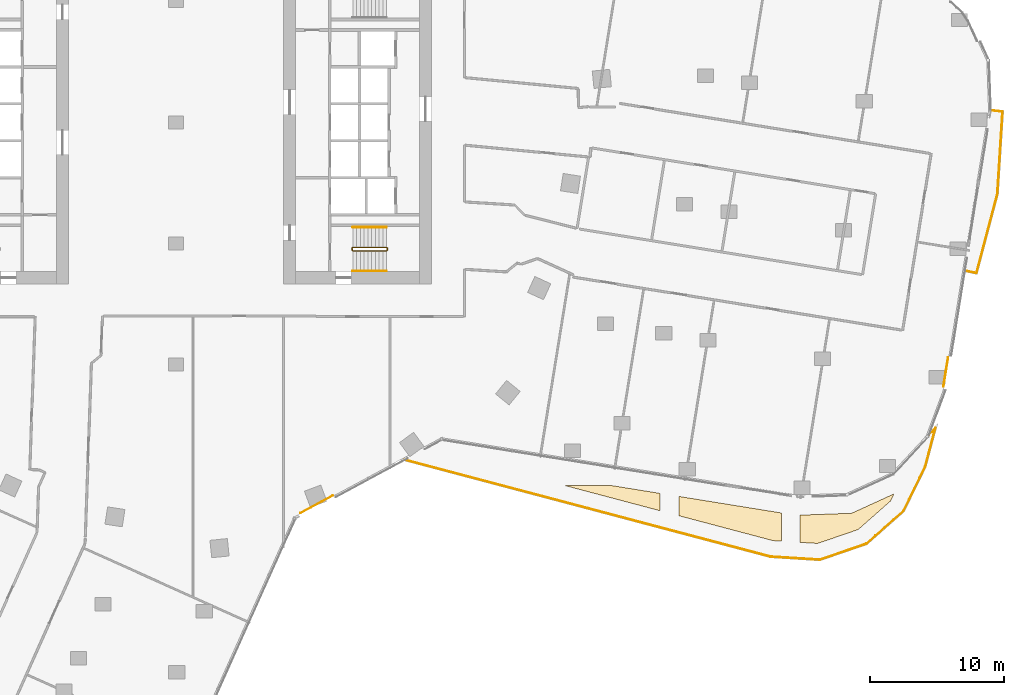
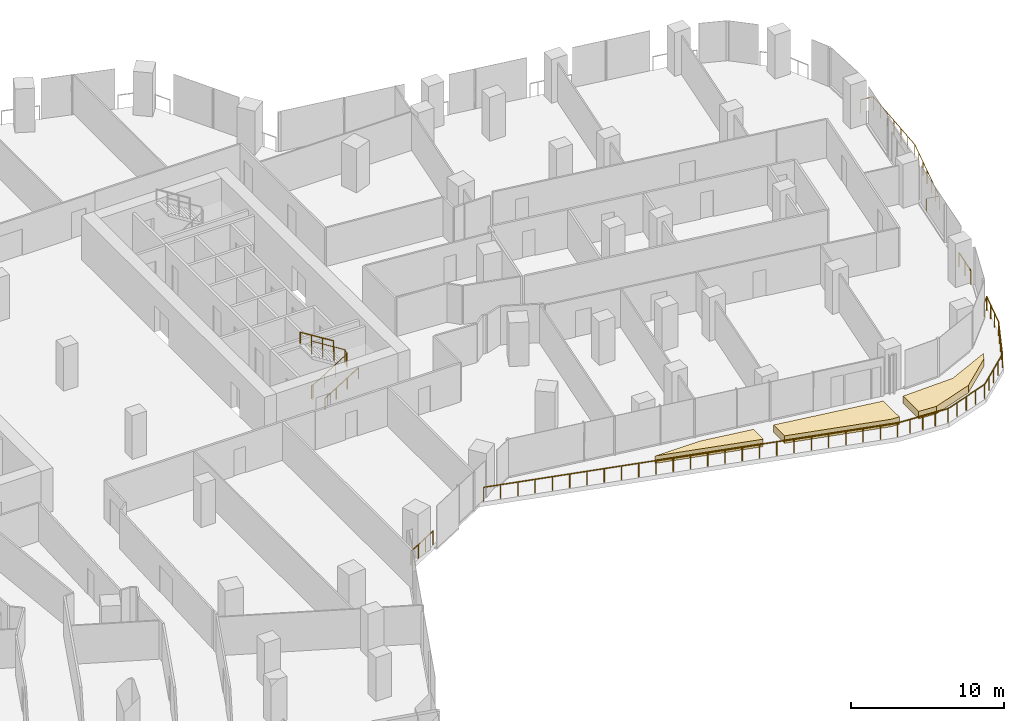
# One storey, part 30 of 32: 8 railings, 3 coverings.
"""IFC4 building model written with IfcOpenShell, lengths in metres."""

import ifcopenshell
import ifcopenshell.guid

model = None  # the IFC model being written
_history = None  # IfcOwnerHistory: only IFC2X3 demands one
_inside = {}  # id of a spatial element -> (the spatial element, [elements in it])
_under = {}  # id of a project, library or spatial element -> (it, [spatial elements below it])
_declared = {}  # id of a project -> (the project, [libraries it declares])
_typed = {}  # id of a type object -> (the type object, [elements of that type])
_made_of = {}  # id of a material, layer set ... -> (it, [elements and type objects made of it])


def new_model(schema):
    """Start an empty IFC model of exactly this schema.

    Asked for "IFC4X3", IfcOpenShell would pick the latest addendum, in which some entities
    have other attributes; the version numbers below select the first issue.
    IFC2X3 requires an IfcOwnerHistory on every rooted entity: one is made here for all.
    """
    global model, _history
    if schema == "IFC4X3":
        model = ifcopenshell.file(schema_version=(4, 3, 0, 0))
    else:
        model = ifcopenshell.file(schema=schema)
    _inside.clear()
    _under.clear()
    _declared.clear()
    _typed.clear()
    _made_of.clear()
    _history = None
    if model.schema == "IFC2X3":
        org = make("IfcOrganization", Name="unknown")
        user = make(
            "IfcPersonAndOrganization",
            ThePerson=make("IfcPerson", FamilyName="unknown"),
            TheOrganization=org,
        )
        app = make(
            "IfcApplication",
            ApplicationDeveloper=org,
            Version="unknown",
            ApplicationFullName="unknown",
            ApplicationIdentifier="unknown",
        )
        _history = make(
            "IfcOwnerHistory",
            OwningUser=user,
            OwningApplication=app,
            ChangeAction="ADDED",
            CreationDate=0,
        )
    return model


def make(cls, **values):
    """One entity of the class cls with the attributes given. An attribute that is None is left unset."""
    return model.create_entity(
        cls, **{name: value for name, value in values.items() if value is not None}
    )


def rooted(cls, **values):
    """An entity with a GlobalId (a new one), such as an element, a storey or a relation."""
    return make(cls, GlobalId=ifcopenshell.guid.new(), OwnerHistory=_history, **values)


def si_unit(unit_type, name, prefix=None):
    """IfcSIUnit, for example si_unit("LENGTHUNIT", "METRE", prefix="MILLI")."""
    return make("IfcSIUnit", UnitType=unit_type, Prefix=prefix, Name=name)


def assignment(units):
    """IfcUnitAssignment: the units of a project."""
    return None if units is None else make("IfcUnitAssignment", Units=units)


def point(xyz):
    """IfcCartesianPoint."""
    return None if xyz is None else make("IfcCartesianPoint", Coordinates=xyz)


def direction(xyz):
    """IfcDirection."""
    return None if xyz is None else make("IfcDirection", DirectionRatios=xyz)


def frame(location, z_axis=None, x_axis=None):
    """IfcAxis2Placement3D, a coordinate frame: its origin and axes. An axis left out is left unset."""
    return make(
        "IfcAxis2Placement3D",
        Location=point(location),
        Axis=direction(z_axis),
        RefDirection=direction(x_axis),
    )


def frame_2d(location, x_axis=None):
    """IfcAxis2Placement2D, a coordinate frame in the plane: its origin and x axis."""
    return make(
        "IfcAxis2Placement2D", Location=point(location), RefDirection=direction(x_axis)
    )


def origin():
    """The frame at (0, 0, 0) with its axes left unset."""
    return frame((0.0, 0.0, 0.0))


def origin_2d():
    """The frame at (0, 0) in the plane with its x axis left unset."""
    return frame_2d((0.0, 0.0))


def place(relative_to, where):
    """IfcLocalPlacement: puts the frame where relative to a parent placement (None: the world)."""
    return make(
        "IfcLocalPlacement", PlacementRelTo=relative_to, RelativePlacement=where
    )


def context(
    kind, dimensions, precision=None, world=None, true_north=None, identifier=None
):
    """IfcGeometricRepresentationContext, for example the 3D "Model" context."""
    return make(
        "IfcGeometricRepresentationContext",
        ContextIdentifier=identifier,
        ContextType=kind,
        CoordinateSpaceDimension=dimensions,
        Precision=precision,
        WorldCoordinateSystem=world,
        TrueNorth=true_north,
    )


def subcontext(parent, identifier, kind, view, scale=None):
    """IfcGeometricRepresentationSubContext, for example "Body" below "Model"."""
    return make(
        "IfcGeometricRepresentationSubContext",
        ContextIdentifier=identifier,
        ContextType=kind,
        ParentContext=parent,
        TargetScale=scale,
        TargetView=view,
    )


def project(units=None, contexts=None):
    """IfcProject with its units and contexts."""
    return rooted(
        "IfcProject",
        Name="project",
        RepresentationContexts=contexts,
        UnitsInContext=assignment(units),
    )


def spatial(cls, under=None, at=None, **own):
    """A site, building, storey or space (cls), placed at a placement, below another one or the project."""
    s = rooted(cls, ObjectPlacement=at, **own)
    if under is not None:
        _under.setdefault(under.id(), (under, []))[1].append(s)
    return s


def polyline(points):
    """IfcPolyline through the points."""
    return make("IfcPolyline", Points=[point(p) for p in points])


def profile(cls, at=None, kind="AREA", **sizes):
    """A parametric profile (cls). Its sizes go by their IFC names, for example OverallWidth=200.0."""
    return make(cls, ProfileType=kind, Position=at, **sizes)


def circle(**sizes):
    """IfcCircleProfileDef."""
    return profile("IfcCircleProfileDef", **sizes)


def outline(outer, holes=None, kind="AREA"):
    """IfcArbitraryClosedProfileDef: a profile drawn as a closed curve; with holes, ...WithVoids."""
    if holes is None:
        return make("IfcArbitraryClosedProfileDef", ProfileType=kind, OuterCurve=outer)
    return make(
        "IfcArbitraryProfileDefWithVoids",
        ProfileType=kind,
        OuterCurve=outer,
        InnerCurves=holes,
    )


def extrude(swept, where, along, depth):
    """IfcExtrudedAreaSolid: the profile swept, set in the frame where, extruded along a direction by depth."""
    return make(
        "IfcExtrudedAreaSolid",
        SweptArea=swept,
        Position=where,
        ExtrudedDirection=direction(along),
        Depth=depth,
    )


def shape(context_of_items, identifier, shape_type, items):
    """IfcShapeRepresentation: the items that make up one representation, for example the "Body"."""
    return make(
        "IfcShapeRepresentation",
        ContextOfItems=context_of_items,
        RepresentationIdentifier=identifier,
        RepresentationType=shape_type,
        Items=items,
    )


def material(Name=None, Category=None):
    """IfcMaterial."""
    return make("IfcMaterial", Name=Name, Category=Category)


def layer(
    of_material, thickness, ventilated=None, Name=None, Category=None, Priority=None
):
    """IfcMaterialLayer: one layer of a wall or slab, of a material (None: an air gap)."""
    return make(
        "IfcMaterialLayer",
        Material=of_material,
        LayerThickness=thickness,
        IsVentilated=ventilated,
        Name=Name,
        Category=Category,
        Priority=Priority,
    )


def layer_set(layers, Name=None):
    """IfcMaterialLayerSet."""
    return make("IfcMaterialLayerSet", MaterialLayers=layers, LayerSetName=Name)


def made_of(thing, what):
    """Note that an element or type object is made of a material, layer set ...; save() writes the relation."""
    if what is not None:
        _made_of.setdefault(what.id(), (what, []))[1].append(thing)
    return thing


def type_object(cls, material=None, **own):
    """A type object (cls), such as IfcWallType, which elements share."""
    return made_of(rooted(cls, **own), material)


def element(
    cls,
    number,
    at=None,
    inside=None,
    cuts=None,
    type_object=None,
    material=None,
    context=None,
    identifier="Body",
    shape_type=None,
    held_by="IfcProductDefinitionShape",
    body=None,
    shapes=None,
    **own,
):
    """One element of the class cls, such as IfcWall. Its Tag is "e" and its number.

    at: its placement. inside: the storey or other place that contains it. cuts: it is an
    opening in that element (IfcRelVoidsElement). A single representation is given by context,
    identifier, shape_type and body (its items); several are given by shapes. held_by: the class
    of the entity that holds the representations. save() writes the other relations.
    """
    e = rooted(cls, Tag="e%d" % number, ObjectPlacement=at, **own)
    if body is not None:
        shapes = [shape(context, identifier, shape_type, body)]
    if shapes is not None:
        e.Representation = make(held_by, Representations=shapes)
    if inside is not None:
        _inside.setdefault(inside.id(), (inside, []))[1].append(e)
    if cuts is not None:
        rooted(
            "IfcRelVoidsElement", RelatingBuildingElement=cuts, RelatedOpeningElement=e
        )
    if type_object is not None:
        _typed.setdefault(type_object.id(), (type_object, []))[1].append(e)
    return made_of(e, material)


def aggregate(whole, parts):
    """IfcRelAggregates: a whole, such as a stair, and the parts it consists of."""
    return rooted("IfcRelAggregates", RelatingObject=whole, RelatedObjects=parts)


def save(model, path):
    """Write the relations noted so far, then the file.

    IfcRelAggregates (storeys below a building ...), IfcRelContainedInSpatialStructure (elements
    in a storey), IfcRelDefinesByType, IfcRelAssociatesMaterial and IfcRelDeclares: one each for
    every whole, place, type object, material and project.
    """
    for whole, parts in _under.values():
        aggregate(whole, parts)
    for where, things in _inside.values():
        rooted(
            "IfcRelContainedInSpatialStructure",
            RelatedElements=things,
            RelatingStructure=where,
        )
    for kind, things in _typed.values():
        rooted("IfcRelDefinesByType", RelatedObjects=things, RelatingType=kind)
    for what, things in _made_of.values():
        rooted("IfcRelAssociatesMaterial", RelatedObjects=things, RelatingMaterial=what)
    for by, libraries in _declared.values():
        rooted("IfcRelDeclares", RelatingContext=by, RelatedDefinitions=libraries)
    model.write(path)


model = new_model("IFC4")

# Units and contexts
model_context = context("Model", 3, precision=1e-05, world=origin(), true_north=direction((0.0, 1.0)))
body_context = subcontext(model_context, "Body", "Model", "MODEL_VIEW")
ifc_project = project(units=[si_unit("LENGTHUNIT", "METRE"), si_unit("AREAUNIT", "SQUARE_METRE"), si_unit("VOLUMEUNIT", "CUBIC_METRE"), si_unit("PLANEANGLEUNIT", "RADIAN"), si_unit("MASSUNIT", "GRAM", prefix="KILO")], contexts=[model_context])

# Site, building, storey
site_placement = place(None, origin())
site = spatial("IfcSite", under=ifc_project, at=site_placement, CompositionType="ELEMENT")
building_placement = place(site_placement, origin())
building = spatial("IfcBuilding", under=site, at=building_placement, Name="Orlundy Tower", CompositionType="ELEMENT")
storey_placement = place(building_placement, frame((0.0, 0.0, 123.699951171875)))
storey = spatial("IfcBuildingStorey", under=building, at=storey_placement, Name="L31", CompositionType="ELEMENT", Elevation=123.699951171875)

# Coverings
ifc_material_1 = material(Name="Planted soil in precast concrete trough", Category="concrete")
ifc_layer = layer(ifc_material_1, 0.60009765625)
ifc_layer_set = layer_set([ifc_layer], Name="PLANTER box")
covering_type = type_object("IfcCoveringType", Name="PLANTER box", PredefinedType="USERDEFINED", material=ifc_layer_set)
covering_1_placement = place(storey_placement, origin())
element("IfcCovering", 1, at=covering_1_placement, inside=storey, type_object=covering_type, Name="PLANTER L31-10", ObjectType="PLANTER", PredefinedType="USERDEFINED", context=body_context, shape_type="SweptSolid", body=[
    extrude(outline(polyline([(28.904052734375, -27.0), (32.360107421875, -27.0), (36.0, -27.5869140625), (36.0, -28.87890625), (28.904052734375, -27.0)])), origin(), (0.0, 0.0, 1.0), 0.60009765625),
])
covering_2_placement = place(storey_placement, origin())
element("IfcCovering", 2, at=covering_2_placement, inside=storey, type_object=covering_type, Name="PLANTER L31-11", ObjectType="PLANTER", PredefinedType="USERDEFINED", context=body_context, shape_type="SweptSolid", body=[
    extrude(outline(polyline([(44.388916015625, -31.10107421875), (37.39990234375, -29.25), (37.39990234375, -27.81298828125), (45.0, -29.0390625), (45.0, -31.138916015625), (44.388916015625, -31.10107421875)])), origin(), (0.0, 0.0, 1.0), 0.60009765625),
])
covering_3_placement = place(storey_placement, origin())
element("IfcCovering", 3, at=covering_3_placement, inside=storey, type_object=covering_type, Name="PLANTER L31-12", ObjectType="PLANTER", PredefinedType="USERDEFINED", context=body_context, shape_type="SweptSolid", body=[
    extrude(outline(polyline([(50.719970703125, -30.27392578125), (47.702880859375, -31.30810546875), (46.39990234375, -31.22705078125), (46.39990234375, -29.201904296875), (50.23291015625, -29.06298828125), (53.3759765625, -27.625), (53.112060546875, -28.1640625), (50.719970703125, -30.27392578125)])), origin(), (0.0, 0.0, 1.0), 0.60009765625),
])

# Railings
ifc_material_2 = material(Name="Steel balustrade", Category="steel")
railing_type_1 = type_object("IfcRailingType", Name="Stair Guard 1100", PredefinedType="GUARDRAIL", material=ifc_material_2)
railing_1_placement = place(storey_placement, frame((13.090087890625, -9.5, 0.0)))
element("IfcRailing", 4, at=railing_1_placement, inside=storey, type_object=railing_type_1, Name="L31 ST-E1 stair guard 1", PredefinedType="GUARDRAIL", context=body_context, shape_type="SweptSolid", body=[
    extrude(circle(Radius=0.02392578125, at=origin_2d()), frame((0.0, 0.0, 1.076171875), z_axis=(0.0, 1.0, 0.0), x_axis=(-1.0, 0.0, 0.0)), (0.0, 0.0, 1.0), 0.14990234375),
    extrude(circle(Radius=0.02392578125, at=origin_2d()), frame((0.0, 0.14990234375, 1.076171875), z_axis=(0.18420542264, -0.739530593833, 0.647427882513), x_axis=(0.970351222016, 0.241699205484, 0.0)), (0.0, 0.0, 1.0), 0.270263671875),
    extrude(circle(Radius=0.02392578125, at=origin_2d()), frame((0.0498046875, -0.050048828125, 1.2509765625), z_axis=(0.848007534815, 0.0, 0.529984170421), x_axis=(0.0, 1.0, 0.0)), (0.0, 0.0, 1.0), 2.9716796875),
    extrude(circle(Radius=0.02392578125, at=origin_2d()), frame((2.56982421875, -0.050048828125, 2.826171875), z_axis=(0.707106781187, 0.707106781187, 0.0), x_axis=(-0.707106781187, 0.707106781187, 0.0)), (0.0, 0.0, 1.0), 0.07080078125),
    extrude(circle(Radius=0.02392578125, at=origin_2d()), frame((2.619873046875, 0.0, 2.826171875), z_axis=(0.0, 1.0, 0.0), x_axis=(-1.0, 0.0, 0.0)), (0.0, 0.0, 1.0), 0.14990234375),
    extrude(circle(Radius=0.02392578125, at=origin_2d()), frame((2.619873046875, 0.14990234375, 2.826171875), z_axis=(-0.265065253269, 0.265065253269, 0.927081885822), x_axis=(-0.707106781187, -0.707106781187, 0.0)), (0.0, 0.0, 1.0), 0.188720703125),
    extrude(circle(Radius=0.02392578125, at=origin_2d()), frame((2.56982421875, 0.199951171875, 3.0009765625), z_axis=(-0.848007534815, 0.0, 0.529984170421), x_axis=(0.0, -1.0, 0.0)), (0.0, 0.0, 1.0), 2.9716796875),
    extrude(circle(Radius=0.02099609375, at=origin_2d()), origin(), (0.0, 0.0, 1.0), 1.052001953125),
    extrude(circle(Radius=0.02099609375, at=origin_2d()), frame((0.0, 0.14990234375, 0.0)), (0.0, 0.0, 1.0), 1.052001953125),
    extrude(circle(Radius=0.02099609375, at=origin_2d()), frame((0.0498046875, -0.050048828125, 0.175048828125)), (0.0, 0.0, 1.0), 1.052001953125),
    extrude(circle(Radius=0.02099609375, at=origin_2d()), frame((0.889892578125, -0.050048828125, 0.699951171875)), (0.0, 0.0, 1.0), 1.052001953125),
    extrude(circle(Radius=0.02099609375, at=origin_2d()), frame((1.729736328125, -0.050048828125, 1.22509765625)), (0.0, 0.0, 1.0), 1.052001953125),
    extrude(circle(Radius=0.02099609375, at=origin_2d()), frame((2.56982421875, -0.050048828125, 1.75)), (0.0, 0.0, 1.0), 1.052001953125),
    extrude(circle(Radius=0.02099609375, at=origin_2d()), frame((2.619873046875, 0.0, 1.75)), (0.0, 0.0, 1.0), 1.052001953125),
    extrude(circle(Radius=0.02099609375, at=origin_2d()), frame((2.619873046875, 0.14990234375, 1.75)), (0.0, 0.0, 1.0), 1.052001953125),
    extrude(circle(Radius=0.02099609375, at=origin_2d()), frame((2.56982421875, 0.199951171875, 1.925048828125)), (0.0, 0.0, 1.0), 1.052001953125),
    extrude(circle(Radius=0.02099609375, at=origin_2d()), frame((1.729736328125, 0.199951171875, 2.449951171875)), (0.0, 0.0, 1.0), 1.052001953125),
    extrude(circle(Radius=0.02099609375, at=origin_2d()), frame((0.889892578125, 0.199951171875, 2.97509765625)), (0.0, 0.0, 1.0), 1.052001953125),
    extrude(circle(Radius=0.02099609375, at=origin_2d()), frame((0.0498046875, 0.199951171875, 3.5)), (0.0, 0.0, 1.0), 1.052001953125),
])
ifc_material_3 = material(Name="Steel handrail", Category="steel")
railing_type_2 = type_object("IfcRailingType", Name="Stair Handrail 900", PredefinedType="HANDRAIL", material=ifc_material_3)
railing_2_placement = place(storey_placement, frame((13.139892578125, -11.050048828125, 0.175048828125)))
element("IfcRailing", 5, at=railing_2_placement, inside=storey, type_object=railing_type_2, Name="L31 ST-E1 stair handrail 1", PredefinedType="HANDRAIL", context=body_context, shape_type="SweptSolid", body=[
    extrude(circle(Radius=0.02392578125, at=origin_2d()), frame((0.0, 0.0, 0.8759765625), z_axis=(0.848007534815, 0.0, 0.529984170421), x_axis=(0.0, 1.0, 0.0)), (0.0, 0.0, 1.0), 2.9716796875),
    extrude(circle(Radius=0.02099609375, at=origin_2d()), origin(), (0.0, 0.0, 1.0), 0.851806640625),
    extrude(circle(Radius=0.02099609375, at=origin_2d()), frame((0.840087890625, 0.0, 0.52490234375)), (0.0, 0.0, 1.0), 0.851806640625),
    extrude(circle(Radius=0.02099609375, at=origin_2d()), frame((1.679931640625, 0.0, 1.050048828125)), (0.0, 0.0, 1.0), 0.851806640625),
    extrude(circle(Radius=0.02099609375, at=origin_2d()), frame((2.52001953125, 0.0, 1.574951171875)), (0.0, 0.0, 1.0), 0.851806640625),
])
railing_3_placement = place(storey_placement, frame((15.659912109375, -7.800048828125, 1.925048828125)))
element("IfcRailing", 6, at=railing_3_placement, inside=storey, type_object=railing_type_2, Name="L31 ST-E1 stair handrail 2", PredefinedType="HANDRAIL", context=body_context, shape_type="SweptSolid", body=[
    extrude(circle(Radius=0.02392578125, at=origin_2d()), frame((0.0, 0.0, 0.8759765625), z_axis=(-0.848007534815, 0.0, 0.529984170421), x_axis=(0.0, -1.0, 0.0)), (0.0, 0.0, 1.0), 2.9716796875),
    extrude(circle(Radius=0.02099609375, at=origin_2d()), origin(), (0.0, 0.0, 1.0), 0.851806640625),
    extrude(circle(Radius=0.02099609375, at=origin_2d()), frame((-0.840087890625, 0.0, 0.52490234375)), (0.0, 0.0, 1.0), 0.851806640625),
    extrude(circle(Radius=0.02099609375, at=origin_2d()), frame((-1.679931640625, 0.0, 1.050048828125)), (0.0, 0.0, 1.0), 0.851806640625),
    extrude(circle(Radius=0.02099609375, at=origin_2d()), frame((-2.52001953125, 0.0, 1.574951171875)), (0.0, 0.0, 1.0), 0.851806640625),
])
ifc_material_4 = material(Name="Stainless steel bronze finish", Category="steel")
railing_type_3 = type_object("IfcRailingType", Name="TG1 terrace guard", PredefinedType="GUARDRAIL", material=ifc_material_4)
railing_4_placement = place(storey_placement, frame((11.65283203125, -27.75439453125, 0.0)))
element("IfcRailing", 7, at=railing_4_placement, inside=storey, type_object=railing_type_3, Name="Guard TG-L31-E012", PredefinedType="GUARDRAIL", context=body_context, shape_type="SweptSolid", body=[
    extrude(circle(Radius=0.02490234375, at=origin_2d()), frame((0.0, 0.0, 1.09521484375), z_axis=(-0.880170503298, -0.474657650442, 0.0), x_axis=(0.474657650442, -0.880170503298, 0.0)), (0.0, 0.0, 1.0), 2.739990234375),
    extrude(circle(Radius=0.02001953125, at=origin_2d()), origin(), (0.0, 0.0, 1.0), 1.070068359375),
    extrude(circle(Radius=0.02001953125, at=origin_2d()), frame((-0.803955078125, -0.43359375, 0.0)), (0.0, 0.0, 1.0), 1.070068359375),
    extrude(circle(Radius=0.02001953125, at=origin_2d()), frame((-1.607666015625, -0.866943359375, 0.0)), (0.0, 0.0, 1.0), 1.070068359375),
    extrude(circle(Radius=0.02001953125, at=origin_2d()), frame((-2.41162109375, -1.300537109375, 0.0)), (0.0, 0.0, 1.0), 1.070068359375),
])
railing_5_placement = place(storey_placement, frame((57.23291015625, -18.5654296875, 0.0)))
element("IfcRailing", 8, at=railing_5_placement, inside=storey, type_object=railing_type_3, Name="Guard TG-L31-E019", PredefinedType="GUARDRAIL", context=body_context, shape_type="SweptSolid", body=[
    extrude(circle(Radius=0.02490234375, at=origin_2d()), frame((0.0, 0.0, 1.09521484375), z_axis=(-0.159309929235, -0.987228619139, 0.0), x_axis=(0.987228619139, -0.159309929235, 0.0)), (0.0, 0.0, 1.0), 1.089599609375),
    extrude(circle(Radius=0.02001953125, at=origin_2d()), origin(), (0.0, 0.0, 1.0), 1.070068359375),
    extrude(circle(Radius=0.02001953125, at=origin_2d()), frame((-0.173583984375, -1.07568359375, 0.0)), (0.0, 0.0, 1.0), 1.070068359375),
])
railing_6_placement = place(storey_placement, frame((57.409423828125, -17.472412109375, 0.0)))
element("IfcRailing", 9, at=railing_6_placement, inside=storey, type_object=railing_type_3, Name="Guard TG-L31-E026", PredefinedType="GUARDRAIL", context=body_context, shape_type="SweptSolid", body=[
    extrude(circle(Radius=0.02490234375, at=origin_2d()), frame((0.0, 0.0, 1.09521484375), z_axis=(-0.159426553461, -0.987209792319, 0.0), x_axis=(0.987209792319, -0.159426553461, 0.0)), (0.0, 0.0, 1.0), 1.107177734375),
    extrude(circle(Radius=0.02001953125, at=origin_2d()), origin(), (0.0, 0.0, 1.0), 1.070068359375),
    extrude(circle(Radius=0.02001953125, at=origin_2d()), frame((-0.176513671875, -1.093017578125, 0.0)), (0.0, 0.0, 1.0), 1.070068359375),
])
railing_7_placement = place(storey_placement, frame((60.572509765625, 0.894775390625, 0.0)))
element("IfcRailing", 10, at=railing_7_placement, inside=storey, type_object=railing_type_3, Name="Guard TG-L31-00", PredefinedType="GUARDRAIL", context=body_context, shape_type="SweptSolid", body=[
    extrude(circle(Radius=0.02490234375, at=origin_2d()), frame((0.0, 0.0, 1.09521484375), z_axis=(0.993796355793, -0.111215121331, 0.0), x_axis=(0.111215121331, 0.993796355793, 0.0)), (0.0, 0.0, 1.0), 0.88916015625),
    extrude(circle(Radius=0.02490234375, at=origin_2d()), frame((0.883544921875, -0.098876953125, 1.09521484375), z_axis=(-0.062489865679, -0.998045598501, 0.0), x_axis=(0.998045598501, -0.062489865679, 0.0)), (0.0, 0.0, 1.0), 6.1298828125),
    extrude(circle(Radius=0.02490234375, at=origin_2d()), frame((0.50048828125, -6.216796875, 1.09521484375), z_axis=(-0.256080912421, -0.966655350315, 0.0), x_axis=(0.966655350315, -0.256080912421, 0.0)), (0.0, 0.0, 1.0), 6.092041015625),
    extrude(circle(Radius=0.02490234375, at=origin_2d()), frame((-1.0595703125, -12.105712890625, 1.09521484375), z_axis=(-0.978085512859, 0.208203577142, 0.0), x_axis=(-0.208203577142, -0.978085512859, 0.0)), (0.0, 0.0, 1.0), 0.880615234375),
    extrude(circle(Radius=0.02001953125, at=origin_2d()), origin(), (0.0, 0.0, 1.0), 1.070068359375),
    extrude(circle(Radius=0.02001953125, at=origin_2d()), frame((0.883544921875, -0.098876953125, 0.0)), (0.0, 0.0, 1.0), 1.070068359375),
    extrude(circle(Radius=0.02001953125, at=origin_2d()), frame((0.81982421875, -1.11865234375, 0.0)), (0.0, 0.0, 1.0), 1.070068359375),
    extrude(circle(Radius=0.02001953125, at=origin_2d()), frame((0.755859375, -2.13818359375, 0.0)), (0.0, 0.0, 1.0), 1.070068359375),
    extrude(circle(Radius=0.02001953125, at=origin_2d()), frame((0.69189453125, -3.15771484375, 0.0)), (0.0, 0.0, 1.0), 1.070068359375),
    extrude(circle(Radius=0.02001953125, at=origin_2d()), frame((0.628173828125, -4.177490234375, 0.0)), (0.0, 0.0, 1.0), 1.070068359375),
    extrude(circle(Radius=0.02001953125, at=origin_2d()), frame((0.564453125, -5.197265625, 0.0)), (0.0, 0.0, 1.0), 1.070068359375),
    extrude(circle(Radius=0.02001953125, at=origin_2d()), frame((0.50048828125, -6.216796875, 0.0)), (0.0, 0.0, 1.0), 1.070068359375),
    extrude(circle(Radius=0.02001953125, at=origin_2d()), frame((0.240478515625, -7.1982421875, 0.0)), (0.0, 0.0, 1.0), 1.070068359375),
    extrude(circle(Radius=0.02001953125, at=origin_2d()), frame((-0.01953125, -8.1796875, 0.0)), (0.0, 0.0, 1.0), 1.070068359375),
    extrude(circle(Radius=0.02001953125, at=origin_2d()), frame((-0.279541015625, -9.1611328125, 0.0)), (0.0, 0.0, 1.0), 1.070068359375),
    extrude(circle(Radius=0.02001953125, at=origin_2d()), frame((-0.53955078125, -10.142822265625, 0.0)), (0.0, 0.0, 1.0), 1.070068359375),
    extrude(circle(Radius=0.02001953125, at=origin_2d()), frame((-0.799560546875, -11.124267578125, 0.0)), (0.0, 0.0, 1.0), 1.070068359375),
    extrude(circle(Radius=0.02001953125, at=origin_2d()), frame((-1.0595703125, -12.105712890625, 0.0)), (0.0, 0.0, 1.0), 1.070068359375),
    extrude(circle(Radius=0.02001953125, at=origin_2d()), frame((-1.9208984375, -11.92236328125, 0.0)), (0.0, 0.0, 1.0), 1.070068359375),
])
railing_8_placement = place(storey_placement, frame((55.967529296875, -23.25830078125, 0.0)))
element("IfcRailing", 11, at=railing_8_placement, inside=storey, type_object=railing_type_3, Name="Guard TG-L31-10", PredefinedType="GUARDRAIL", context=body_context, shape_type="SweptSolid", body=[
    extrude(circle(Radius=0.02490234375, at=origin_2d()), frame((0.0, 0.0, 1.09521484375), z_axis=(0.680996672591, 0.732286509448, 0.0), x_axis=(-0.732286509448, 0.680996672591, 0.0)), (0.0, 0.0, 1.0), 0.73779296875),
    extrude(circle(Radius=0.02490234375, at=origin_2d()), frame((0.50244140625, 0.540283203125, 1.09521484375), z_axis=(-0.25710308754, -0.966383982885, 0.0), x_axis=(0.966383982885, -0.25710308754, 0.0)), (0.0, 0.0, 1.0), 2.9873046875),
    extrude(circle(Radius=0.02490234375, at=origin_2d()), frame((-0.265625, -2.3466796875, 1.09521484375), z_axis=(-0.439892592789, -0.898050392133, 0.0), x_axis=(0.898050392133, -0.439892592789, 0.0)), (0.0, 0.0, 1.0), 3.67578125),
    extrude(circle(Radius=0.02490234375, at=origin_2d()), frame((-1.882568359375, -5.647705078125, 1.09521484375), z_axis=(-0.749898080396, -0.66155337579, 0.0), x_axis=(0.66155337579, -0.749898080396, 0.0)), (0.0, 0.0, 1.0), 3.667236328125),
    extrude(circle(Radius=0.02490234375, at=origin_2d()), frame((-4.632568359375, -8.07373046875, 1.09521484375), z_axis=(-0.945979788103, -0.324225601243, 0.0), x_axis=(0.324225601243, -0.945979788103, 0.0)), (0.0, 0.0, 1.0), 3.6669921875),
    extrude(circle(Radius=0.02490234375, at=origin_2d()), frame((-8.1015625, -9.2626953125, 1.09521484375), z_axis=(-0.998042231012, 0.062543625706, 0.0), x_axis=(-0.062543625706, -0.998042231012, 0.0)), (0.0, 0.0, 1.0), 3.677001953125),
    extrude(circle(Radius=0.02490234375, at=origin_2d()), frame((-11.771484375, -9.03271484375, 1.09521484375), z_axis=(-0.966679893933, 0.255988247124, 0.0), x_axis=(-0.255988247124, -0.966679893933, 0.0)), (0.0, 0.0, 1.0), 28.121337890625),
    extrude(circle(Radius=0.02001953125, at=origin_2d()), origin(), (0.0, 0.0, 1.0), 1.070068359375),
    extrude(circle(Radius=0.02001953125, at=origin_2d()), frame((0.50244140625, 0.540283203125, 0.0)), (0.0, 0.0, 1.0), 1.070068359375),
    extrude(circle(Radius=0.02001953125, at=origin_2d()), frame((0.246337890625, -0.422119140625, 0.0)), (0.0, 0.0, 1.0), 1.070068359375),
    extrude(circle(Radius=0.02001953125, at=origin_2d()), frame((-0.009521484375, -1.38427734375, 0.0)), (0.0, 0.0, 1.0), 1.070068359375),
    extrude(circle(Radius=0.02001953125, at=origin_2d()), frame((-0.265625, -2.3466796875, 0.0)), (0.0, 0.0, 1.0), 1.070068359375),
    extrude(circle(Radius=0.02001953125, at=origin_2d()), frame((-0.669921875, -3.171875, 0.0)), (0.0, 0.0, 1.0), 1.070068359375),
    extrude(circle(Radius=0.02001953125, at=origin_2d()), frame((-1.07421875, -3.9970703125, 0.0)), (0.0, 0.0, 1.0), 1.070068359375),
    extrude(circle(Radius=0.02001953125, at=origin_2d()), frame((-1.478271484375, -4.822509765625, 0.0)), (0.0, 0.0, 1.0), 1.070068359375),
    extrude(circle(Radius=0.02001953125, at=origin_2d()), frame((-1.882568359375, -5.647705078125, 0.0)), (0.0, 0.0, 1.0), 1.070068359375),
    extrude(circle(Radius=0.02001953125, at=origin_2d()), frame((-2.570068359375, -6.254150390625, 0.0)), (0.0, 0.0, 1.0), 1.070068359375),
    extrude(circle(Radius=0.02001953125, at=origin_2d()), frame((-3.257568359375, -6.86083984375, 0.0)), (0.0, 0.0, 1.0), 1.070068359375),
    extrude(circle(Radius=0.02001953125, at=origin_2d()), frame((-3.945068359375, -7.46728515625, 0.0)), (0.0, 0.0, 1.0), 1.070068359375),
    extrude(circle(Radius=0.02001953125, at=origin_2d()), frame((-4.632568359375, -8.07373046875, 0.0)), (0.0, 0.0, 1.0), 1.070068359375),
    extrude(circle(Radius=0.02001953125, at=origin_2d()), frame((-5.499755859375, -8.37109375, 0.0)), (0.0, 0.0, 1.0), 1.070068359375),
    extrude(circle(Radius=0.02001953125, at=origin_2d()), frame((-6.3671875, -8.668212890625, 0.0)), (0.0, 0.0, 1.0), 1.070068359375),
    extrude(circle(Radius=0.02001953125, at=origin_2d()), frame((-7.234375, -8.96533203125, 0.0)), (0.0, 0.0, 1.0), 1.070068359375),
    extrude(circle(Radius=0.02001953125, at=origin_2d()), frame((-8.1015625, -9.2626953125, 0.0)), (0.0, 0.0, 1.0), 1.070068359375),
    extrude(circle(Radius=0.02001953125, at=origin_2d()), frame((-9.01904296875, -9.205078125, 0.0)), (0.0, 0.0, 1.0), 1.070068359375),
    extrude(circle(Radius=0.02001953125, at=origin_2d()), frame((-9.9365234375, -9.147705078125, 0.0)), (0.0, 0.0, 1.0), 1.070068359375),
    extrude(circle(Radius=0.02001953125, at=origin_2d()), frame((-10.85400390625, -9.09033203125, 0.0)), (0.0, 0.0, 1.0), 1.070068359375),
    extrude(circle(Radius=0.02001953125, at=origin_2d()), frame((-11.771484375, -9.03271484375, 0.0)), (0.0, 0.0, 1.0), 1.070068359375),
    extrude(circle(Radius=0.02001953125, at=origin_2d()), frame((-12.904052734375, -8.732666015625, 0.0)), (0.0, 0.0, 1.0), 1.070068359375),
    extrude(circle(Radius=0.02001953125, at=origin_2d()), frame((-14.036865234375, -8.432861328125, 0.0)), (0.0, 0.0, 1.0), 1.070068359375),
    extrude(circle(Radius=0.02001953125, at=origin_2d()), frame((-15.16943359375, -8.1328125, 0.0)), (0.0, 0.0, 1.0), 1.070068359375),
    extrude(circle(Radius=0.02001953125, at=origin_2d()), frame((-16.30224609375, -7.8330078125, 0.0)), (0.0, 0.0, 1.0), 1.070068359375),
    extrude(circle(Radius=0.02001953125, at=origin_2d()), frame((-17.434814453125, -7.532958984375, 0.0)), (0.0, 0.0, 1.0), 1.070068359375),
    extrude(circle(Radius=0.02001953125, at=origin_2d()), frame((-18.567626953125, -7.23291015625, 0.0)), (0.0, 0.0, 1.0), 1.070068359375),
    extrude(circle(Radius=0.02001953125, at=origin_2d()), frame((-19.7001953125, -6.93310546875, 0.0)), (0.0, 0.0, 1.0), 1.070068359375),
    extrude(circle(Radius=0.02001953125, at=origin_2d()), frame((-20.8330078125, -6.633056640625, 0.0)), (0.0, 0.0, 1.0), 1.070068359375),
    extrude(circle(Radius=0.02001953125, at=origin_2d()), frame((-21.965576171875, -6.333251953125, 0.0)), (0.0, 0.0, 1.0), 1.070068359375),
    extrude(circle(Radius=0.02001953125, at=origin_2d()), frame((-23.098388671875, -6.033203125, 0.0)), (0.0, 0.0, 1.0), 1.070068359375),
    extrude(circle(Radius=0.02001953125, at=origin_2d()), frame((-24.23095703125, -5.7333984375, 0.0)), (0.0, 0.0, 1.0), 1.070068359375),
    extrude(circle(Radius=0.02001953125, at=origin_2d()), frame((-25.36376953125, -5.433349609375, 0.0)), (0.0, 0.0, 1.0), 1.070068359375),
    extrude(circle(Radius=0.02001953125, at=origin_2d()), frame((-26.496337890625, -5.13330078125, 0.0)), (0.0, 0.0, 1.0), 1.070068359375),
    extrude(circle(Radius=0.02001953125, at=origin_2d()), frame((-27.62890625, -4.83349609375, 0.0)), (0.0, 0.0, 1.0), 1.070068359375),
    extrude(circle(Radius=0.02001953125, at=origin_2d()), frame((-28.76171875, -4.533447265625, 0.0)), (0.0, 0.0, 1.0), 1.070068359375),
    extrude(circle(Radius=0.02001953125, at=origin_2d()), frame((-29.894287109375, -4.233642578125, 0.0)), (0.0, 0.0, 1.0), 1.070068359375),
    extrude(circle(Radius=0.02001953125, at=origin_2d()), frame((-31.027099609375, -3.93359375, 0.0)), (0.0, 0.0, 1.0), 1.070068359375),
    extrude(circle(Radius=0.02001953125, at=origin_2d()), frame((-32.15966796875, -3.6337890625, 0.0)), (0.0, 0.0, 1.0), 1.070068359375),
    extrude(circle(Radius=0.02001953125, at=origin_2d()), frame((-33.29248046875, -3.333740234375, 0.0)), (0.0, 0.0, 1.0), 1.070068359375),
    extrude(circle(Radius=0.02001953125, at=origin_2d()), frame((-34.425048828125, -3.03369140625, 0.0)), (0.0, 0.0, 1.0), 1.070068359375),
    extrude(circle(Radius=0.02001953125, at=origin_2d()), frame((-35.557861328125, -2.73388671875, 0.0)), (0.0, 0.0, 1.0), 1.070068359375),
    extrude(circle(Radius=0.02001953125, at=origin_2d()), frame((-36.6904296875, -2.433837890625, 0.0)), (0.0, 0.0, 1.0), 1.070068359375),
    extrude(circle(Radius=0.02001953125, at=origin_2d()), frame((-37.8232421875, -2.134033203125, 0.0)), (0.0, 0.0, 1.0), 1.070068359375),
    extrude(circle(Radius=0.02001953125, at=origin_2d()), frame((-38.955810546875, -1.833984375, 0.0)), (0.0, 0.0, 1.0), 1.070068359375),
])

save(model, "model.ifc")
